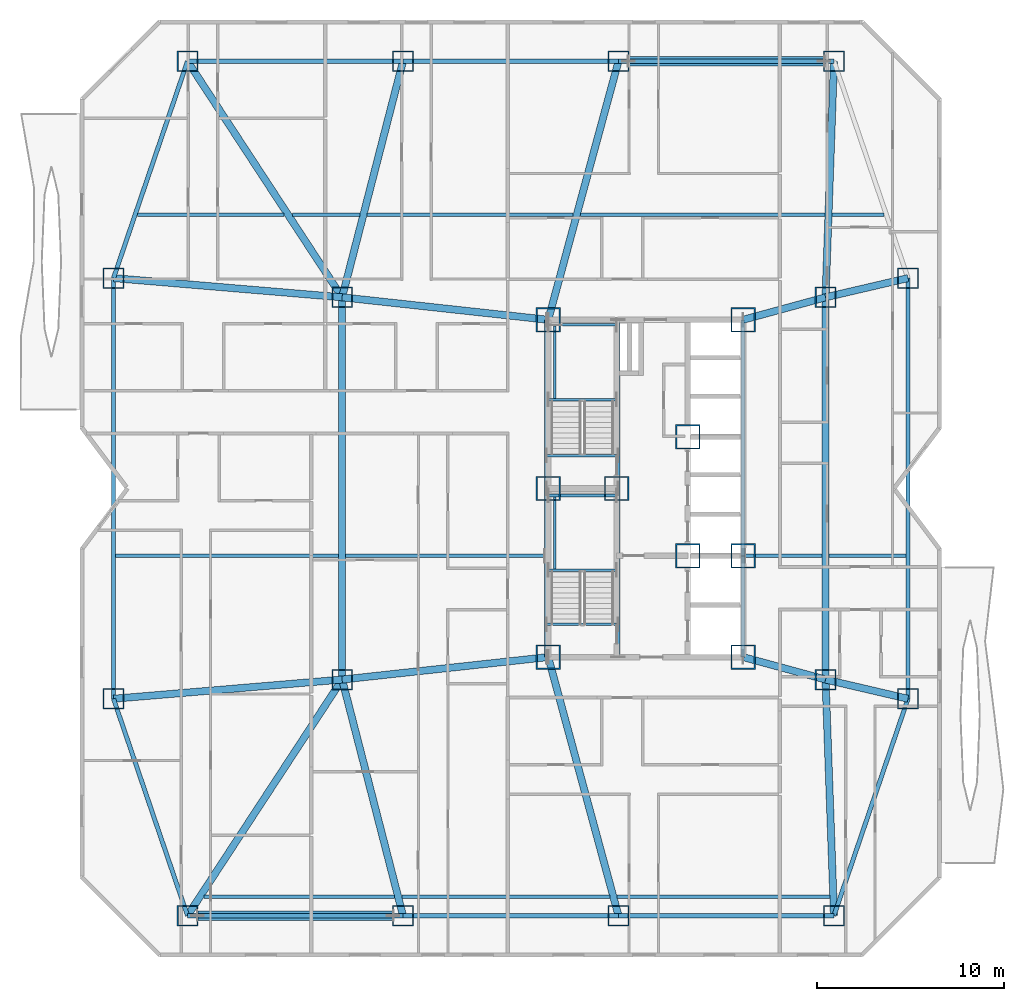
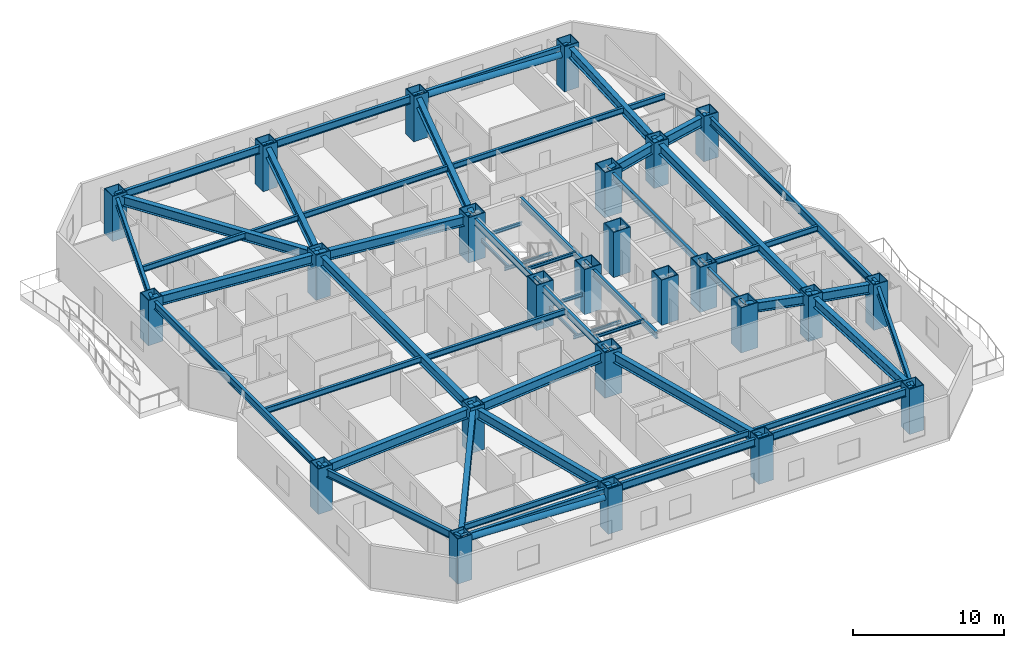
# One storey, part 1 of 16: 55 beams, 25 columns, 2 members.
"""IFC4 building model written with IfcOpenShell, lengths in metres."""

from ifc_helpers import new_model, si_unit, direction, frame, origin, origin_2d, place, context, subcontext, project, spatial, hollow_rectangle, hollow_circle, i_section, extrude, material, material_profile, profile_set, type_object, element, save


model = new_model("IFC4")

# Units and contexts
model_context = context("Model", 3, precision=1e-05, world=origin(), true_north=direction((0.0, 1.0)))
body_context = subcontext(model_context, "Body", "Model", "MODEL_VIEW")
ifc_project = project(units=[si_unit("LENGTHUNIT", "METRE"), si_unit("AREAUNIT", "SQUARE_METRE"), si_unit("VOLUMEUNIT", "CUBIC_METRE"), si_unit("PLANEANGLEUNIT", "RADIAN"), si_unit("MASSUNIT", "GRAM", prefix="KILO")], contexts=[model_context])

# Site, building, storey
site_placement = place(None, origin())
site = spatial("IfcSite", under=ifc_project, at=site_placement, CompositionType="ELEMENT")
building_placement = place(site_placement, origin())
building = spatial("IfcBuilding", under=site, at=building_placement, Name="Khamvora Tower", CompositionType="ELEMENT")
storey_placement = place(building_placement, frame((0.0, 0.0, 55.199951171875)))
storey = spatial("IfcBuildingStorey", under=building, at=storey_placement, Name="L13", CompositionType="ELEMENT", Elevation=55.199951171875)

# Columns
ifc_material_1 = material(Name="Steel S460", Category="steel")
ifc_material_profile_1 = material_profile(ifc_material_1, hollow_rectangle(XDim=1.10009765625, YDim=1.10009765625, WallThickness=0.054931640625, at=origin_2d()), Name="BOX1100x1100x55")
ifc_profile_set_1 = profile_set([ifc_material_profile_1], Name="Steel S460")
column_type_1 = type_object("IfcColumnType", Name="COL-BOX1100", PredefinedType="COLUMN", material=ifc_profile_set_1)
for number, where, z_axis, x_axis, name in (
    (1, (9.75, 5.199951171875, 0.0), (0.0, 0.0, 1.0), (1.0, 0.0, 0.0), "L13 structural frame column S1"),
    (2, (21.25, 5.199951171875, 0.0), (0.0, 0.0, 1.0), (1.0, 0.0, 0.0), "L13 structural frame column S2"),
    (3, (32.75, 5.199951171875, 0.0), (0.0, 0.0, 1.0), (1.0, 0.0, 0.0), "L13 structural frame column S3"),
    (4, (44.25, 5.199951171875, 0.0), (0.0, 0.0, 1.0), (1.0, 0.0, 0.0), "L13 structural frame column S4"),
    (5, (9.75, 50.800048828125, 0.0), (0.0, 0.0, 1.0), (1.0, 0.0, 0.0), "L13 structural frame column N1"),
    (6, (21.25, 50.800048828125, 0.0), (0.0, 0.0, 1.0), (1.0, 0.0, 0.0), "L13 structural frame column N2"),
    (7, (32.75, 50.800048828125, 0.0), (0.0, 0.0, 1.0), (1.0, 0.0, 0.0), "L13 structural frame column N3"),
    (8, (44.25, 50.800048828125, 0.0), (0.0, 0.0, 1.0), (1.0, 0.0, 0.0), "L13 structural frame column N4"),
    (9, (5.800048828125, 16.77490234375, 0.0), (0.0, 0.0, 1.0), (1.0, 0.0, 0.0), "L13 structural frame column W1"),
    (10, (5.800048828125, 39.22509765625, 0.0), (0.0, 0.0, 1.0), (1.0, 0.0, 0.0), "L13 structural frame column W2"),
    (11, (48.199951171875, 16.77490234375, 0.0), (0.0, 0.0, 1.0), (1.0, 0.0, 0.0), "L13 structural frame column E1"),
    (12, (48.199951171875, 39.22509765625, 0.0), (0.0, 0.0, 1.0), (1.0, 0.0, 0.0), "L13 structural frame column E2"),
    (13, (18.0, 17.800048828125, 0.0), (0.0, 0.0, 1.0), (1.0, 0.0, 0.0), "L13 structural frame column MW1"),
    (14, (18.0, 38.199951171875, 0.0), (0.0, 0.0, 1.0), (1.0, 0.0, 0.0), "L13 structural frame column MW2"),
    (15, (43.800048828125, 17.800048828125, 0.0), (0.0, 0.0, 1.0), (1.0, 0.0, 0.0), "L13 structural frame column M1"),
    (16, (43.800048828125, 38.199951171875, 0.0), (0.0, 0.0, 1.0), (1.0, 0.0, 0.0), "L13 structural frame column M2"),
):
    element("IfcColumn", number, at=place(storey_placement, frame(where, z_axis=z_axis, x_axis=x_axis)), inside=storey, type_object=column_type_1, Name=name, PredefinedType="COLUMN", context=body_context, shape_type="SweptSolid", body=[
        extrude(hollow_rectangle(XDim=1.10009765625, YDim=1.10009765625, WallThickness=0.054931640625, at=origin_2d()), origin(), (0.0, 0.0, 1.0), 3.650146484375),
    ])
ifc_material_profile_2 = material_profile(ifc_material_1, hollow_rectangle(XDim=1.300048828125, YDim=1.300048828125, WallThickness=0.06494140625, at=origin_2d()), Name="BOX1300x1300x65")
ifc_profile_set_2 = profile_set([ifc_material_profile_2], Name="Steel S460")
column_type_2 = type_object("IfcColumnType", Name="COL-BOX1300", PredefinedType="COLUMN", material=ifc_profile_set_2)
for number, where, z_axis, x_axis, name in (
    (17, (29.0, 19.0, 0.0), (0.0, 0.0, 1.0), (1.0, 0.0, 0.0), "L13 plumb core spine column SC1"),
    (18, (32.64990234375, 28.0, 0.0), (0.0, 0.0, 1.0), (1.0, 0.0, 0.0), "L13 plumb core spine column SC2"),
    (19, (39.39990234375, 19.0, 0.0), (0.0, 0.0, 1.0), (1.0, 0.0, 0.0), "L13 plumb core spine column SC3"),
    (20, (29.0, 28.0, 0.0), (0.0, 0.0, 1.0), (1.0, 0.0, 0.0), "L13 plumb core spine column SC4"),
    (21, (36.449951171875, 24.39990234375, 0.0), (0.0, 0.0, 1.0), (1.0, 0.0, 0.0), "L13 plumb core spine column SC5"),
    (22, (39.39990234375, 24.39990234375, 0.0), (0.0, 0.0, 1.0), (1.0, 0.0, 0.0), "L13 plumb core spine column SC6"),
    (23, (29.0, 37.0, 0.0), (0.0, 0.0, 1.0), (1.0, 0.0, 0.0), "L13 plumb core spine column SC7"),
    (24, (36.449951171875, 30.75, 0.0), (0.0, 0.0, 1.0), (1.0, 0.0, 0.0), "L13 plumb core spine column SC8"),
    (25, (39.39990234375, 37.0, 0.0), (0.0, 0.0, 1.0), (1.0, 0.0, 0.0), "L13 plumb core spine column SC9"),
):
    element("IfcColumn", number, at=place(storey_placement, frame(where, z_axis=z_axis, x_axis=x_axis)), inside=storey, type_object=column_type_2, Name=name, PredefinedType="COLUMN", context=body_context, shape_type="SweptSolid", body=[
        extrude(hollow_rectangle(XDim=1.300048828125, YDim=1.300048828125, WallThickness=0.06494140625, at=origin_2d()), origin(), (0.0, 0.0, 1.0), 3.650146484375),
    ])

# Beams
ifc_material_2 = material(Name="Steel S355", Category="steel")
ifc_material_profile_3 = material_profile(ifc_material_2, i_section(OverallWidth=0.19189453125, OverallDepth=0.462890625, WebThickness=0.010986328125, FlangeThickness=0.01806640625, FilletRadius=0.011962890625, at=origin_2d()), Name="W460x89")
ifc_profile_set_3 = profile_set([ifc_material_profile_3], Name="Steel S355")
beam_type_1 = type_object("IfcBeamType", Name="BM-JS-W460x89", PredefinedType="JOIST", material=ifc_profile_set_3)
beam_1_placement = place(storey_placement, frame((10.626953125, 6.199951171875, 3.198974609375), z_axis=(1.0, 0.0, 0.0), x_axis=(0.0, 1.0, 0.0)))
element("IfcBeam", 26, at=beam_1_placement, inside=storey, type_object=beam_type_1, Name="L13 secondary floor joist 01", PredefinedType="JOIST", context=body_context, shape_type="SweptSolid", body=[
    extrude(i_section(OverallWidth=0.19189453125, OverallDepth=0.462890625, WebThickness=0.010986328125, FlangeThickness=0.01806640625, FilletRadius=0.011962890625, at=origin_2d()), origin(), (0.0, 0.0, 1.0), 10.173095703125),
])
beam_2_placement = place(storey_placement, frame((21.18408203125, 6.199951171875, 3.198974609375), z_axis=(1.0, 0.0, 0.0), x_axis=(0.0, 1.0, 0.0)))
element("IfcBeam", 27, at=beam_2_placement, inside=storey, type_object=beam_type_1, Name="L13 secondary floor joist 02", PredefinedType="JOIST", context=body_context, shape_type="SweptSolid", body=[
    extrude(i_section(OverallWidth=0.19189453125, OverallDepth=0.462890625, WebThickness=0.010986328125, FlangeThickness=0.01806640625, FilletRadius=0.011962890625, at=origin_2d()), origin(), (0.0, 0.0, 1.0), 11.101806640625),
])
beam_3_placement = place(storey_placement, frame((32.6708984375, 6.199951171875, 3.198974609375), z_axis=(1.0, 0.0, 0.0), x_axis=(0.0, 1.0, 0.0)))
element("IfcBeam", 28, at=beam_3_placement, inside=storey, type_object=beam_type_1, Name="L13 secondary floor joist 03", PredefinedType="JOIST", context=body_context, shape_type="SweptSolid", body=[
    extrude(i_section(OverallWidth=0.19189453125, OverallDepth=0.462890625, WebThickness=0.010986328125, FlangeThickness=0.01806640625, FilletRadius=0.011962890625, at=origin_2d()), origin(), (0.0, 0.0, 1.0), 11.358154296875),
])
beam_4_placement = place(storey_placement, frame((5.909912109375, 24.39990234375, 3.198974609375), z_axis=(1.0, 0.0, 0.0), x_axis=(0.0, 1.0, 0.0)))
element("IfcBeam", 29, at=beam_4_placement, inside=storey, type_object=beam_type_1, Name="L13 secondary floor joist 04", PredefinedType="JOIST", context=body_context, shape_type="SweptSolid", body=[
    extrude(i_section(OverallWidth=0.19189453125, OverallDepth=0.462890625, WebThickness=0.010986328125, FlangeThickness=0.01806640625, FilletRadius=0.011962890625, at=origin_2d()), origin(), (0.0, 0.0, 1.0), 11.904052734375),
])
beam_5_placement = place(storey_placement, frame((18.18603515625, 24.39990234375, 3.198974609375), z_axis=(1.0, 0.0, 0.0), x_axis=(0.0, 1.0, 0.0)))
element("IfcBeam", 30, at=beam_5_placement, inside=storey, type_object=beam_type_1, Name="L13 secondary floor joist 05", PredefinedType="JOIST", context=body_context, shape_type="SweptSolid", body=[
    extrude(i_section(OverallWidth=0.19189453125, OverallDepth=0.462890625, WebThickness=0.010986328125, FlangeThickness=0.01806640625, FilletRadius=0.011962890625, at=origin_2d()), origin(), (0.0, 0.0, 1.0), 10.614013671875),
])
beam_6_placement = place(storey_placement, frame((39.4990234375, 24.39990234375, 3.198974609375), z_axis=(1.0, 0.0, 0.0), x_axis=(0.0, 1.0, 0.0)))
element("IfcBeam", 31, at=beam_6_placement, inside=storey, type_object=beam_type_1, Name="L13 secondary floor joist 06", PredefinedType="JOIST", context=body_context, shape_type="SweptSolid", body=[
    extrude(i_section(OverallWidth=0.19189453125, OverallDepth=0.462890625, WebThickness=0.010986328125, FlangeThickness=0.01806640625, FilletRadius=0.011962890625, at=origin_2d()), origin(), (0.0, 0.0, 1.0), 4.114990234375),
])
beam_7_placement = place(storey_placement, frame((43.985107421875, 24.39990234375, 3.198974609375), z_axis=(1.0, 0.0, 0.0), x_axis=(0.0, 1.0, 0.0)))
element("IfcBeam", 32, at=beam_7_placement, inside=storey, type_object=beam_type_1, Name="L13 secondary floor joist 07", PredefinedType="JOIST", context=body_context, shape_type="SweptSolid", body=[
    extrude(i_section(OverallWidth=0.19189453125, OverallDepth=0.462890625, WebThickness=0.010986328125, FlangeThickness=0.01806640625, FilletRadius=0.011962890625, at=origin_2d()), origin(), (0.0, 0.0, 1.0), 4.10498046875),
])
beam_8_placement = place(storey_placement, frame((7.068115234375, 42.60009765625, 3.198974609375), z_axis=(1.0, 0.0, 0.0), x_axis=(0.0, 1.0, 0.0)))
element("IfcBeam", 33, at=beam_8_placement, inside=storey, type_object=beam_type_1, Name="L13 secondary floor joist 08", PredefinedType="JOIST", context=body_context, shape_type="SweptSolid", body=[
    extrude(i_section(OverallWidth=0.19189453125, OverallDepth=0.462890625, WebThickness=0.010986328125, FlangeThickness=0.01806640625, FilletRadius=0.011962890625, at=origin_2d()), origin(), (0.0, 0.0, 1.0), 7.827880859375),
])
beam_9_placement = place(storey_placement, frame((15.342041015625, 42.60009765625, 3.198974609375), z_axis=(1.0, 0.0, 0.0), x_axis=(0.0, 1.0, 0.0)))
element("IfcBeam", 34, at=beam_9_placement, inside=storey, type_object=beam_type_1, Name="L13 secondary floor joist 09", PredefinedType="JOIST", context=body_context, shape_type="SweptSolid", body=[
    extrude(i_section(OverallWidth=0.19189453125, OverallDepth=0.462890625, WebThickness=0.010986328125, FlangeThickness=0.01806640625, FilletRadius=0.011962890625, at=origin_2d()), origin(), (0.0, 0.0, 1.0), 3.60107421875),
])
beam_10_placement = place(storey_placement, frame((19.326904296875, 42.60009765625, 3.198974609375), z_axis=(1.0, 0.0, 0.0), x_axis=(0.0, 1.0, 0.0)))
element("IfcBeam", 35, at=beam_10_placement, inside=storey, type_object=beam_type_1, Name="L13 secondary floor joist 10", PredefinedType="JOIST", context=body_context, shape_type="SweptSolid", body=[
    extrude(i_section(OverallWidth=0.19189453125, OverallDepth=0.462890625, WebThickness=0.010986328125, FlangeThickness=0.01806640625, FilletRadius=0.011962890625, at=origin_2d()), origin(), (0.0, 0.0, 1.0), 11.002197265625),
])
beam_11_placement = place(storey_placement, frame((30.714111328125, 42.60009765625, 3.198974609375), z_axis=(1.0, 0.0, 0.0), x_axis=(0.0, 1.0, 0.0)))
element("IfcBeam", 36, at=beam_11_placement, inside=storey, type_object=beam_type_1, Name="L13 secondary floor joist 11", PredefinedType="JOIST", context=body_context, shape_type="SweptSolid", body=[
    extrude(i_section(OverallWidth=0.19189453125, OverallDepth=0.462890625, WebThickness=0.010986328125, FlangeThickness=0.01806640625, FilletRadius=0.011962890625, at=origin_2d()), origin(), (0.0, 0.0, 1.0), 13.057861328125),
])
beam_12_placement = place(storey_placement, frame((44.14306640625, 42.60009765625, 3.198974609375), z_axis=(1.0, 0.0, 0.0), x_axis=(0.0, 1.0, 0.0)))
element("IfcBeam", 37, at=beam_12_placement, inside=storey, type_object=beam_type_1, Name="L13 secondary floor joist 12", PredefinedType="JOIST", context=body_context, shape_type="SweptSolid", body=[
    extrude(i_section(OverallWidth=0.19189453125, OverallDepth=0.462890625, WebThickness=0.010986328125, FlangeThickness=0.01806640625, FilletRadius=0.011962890625, at=origin_2d()), origin(), (0.0, 0.0, 1.0), 2.788818359375),
])
ifc_material_profile_4 = material_profile(ifc_material_2, i_section(OverallWidth=0.14697265625, OverallDepth=0.261962890625, WebThickness=0.007080078125, FlangeThickness=0.010986328125, FilletRadius=0.008056640625, at=origin_2d()), Name="W250x39")
ifc_profile_set_4 = profile_set([ifc_material_profile_4], Name="Steel S355")
beam_type_2 = type_object("IfcBeamType", Name="BM-LN-W250x39", PredefinedType="LINTEL", material=ifc_profile_set_4)
for number, where, z_axis, x_axis, name in (
    (38, (29.0, 23.635009765625, 1.494140625), (1.0, 0.0, 0.0), (0.0, 1.0, 0.0), "L13 ST-01 half-landing support beam 1.1"),
    (39, (29.0, 27.6298828125, 1.494140625), (1.0, 0.0, 0.0), (0.0, 1.0, 0.0), "L13 ST-01 half-landing support beam 1.2"),
):
    element("IfcBeam", number, at=place(storey_placement, frame(where, z_axis=z_axis, x_axis=x_axis)), inside=storey, type_object=beam_type_2, Name=name, PredefinedType="LINTEL", context=body_context, shape_type="SweptSolid", body=[
        extrude(i_section(OverallWidth=0.14697265625, OverallDepth=0.261962890625, WebThickness=0.007080078125, FlangeThickness=0.010986328125, FilletRadius=0.008056640625, at=origin_2d()), origin(), (0.0, 0.0, 1.0), 3.64990234375),
    ])
beam_13_placement = place(storey_placement, frame((29.35009765625, 23.635009765625, 1.494140625), z_axis=(0.0, 1.0, 0.0), x_axis=(-1.0, 0.0, 0.0)))
element("IfcBeam", 40, at=beam_13_placement, inside=storey, type_object=beam_type_2, Name="L13 ST-01 half-landing edge stringer 1", PredefinedType="LINTEL", context=body_context, shape_type="SweptSolid", body=[
    extrude(i_section(OverallWidth=0.14697265625, OverallDepth=0.261962890625, WebThickness=0.007080078125, FlangeThickness=0.010986328125, FilletRadius=0.008056640625, at=origin_2d()), origin(), (0.0, 0.0, 1.0), 3.994873046875),
])
for number, where, z_axis, x_axis, name in (
    (41, (29.0, 32.735107421875, 1.494140625), (1.0, 0.0, 0.0), (0.0, 1.0, 0.0), "L13 ST-02 half-landing support beam 1.1"),
    (42, (29.0, 36.72998046875, 1.494140625), (1.0, 0.0, 0.0), (0.0, 1.0, 0.0), "L13 ST-02 half-landing support beam 1.2"),
):
    element("IfcBeam", number, at=place(storey_placement, frame(where, z_axis=z_axis, x_axis=x_axis)), inside=storey, type_object=beam_type_2, Name=name, PredefinedType="LINTEL", context=body_context, shape_type="SweptSolid", body=[
        extrude(i_section(OverallWidth=0.14697265625, OverallDepth=0.261962890625, WebThickness=0.007080078125, FlangeThickness=0.010986328125, FilletRadius=0.008056640625, at=origin_2d()), origin(), (0.0, 0.0, 1.0), 3.64990234375),
    ])
beam_14_placement = place(storey_placement, frame((29.35009765625, 32.735107421875, 1.494140625), z_axis=(0.0, 1.0, 0.0), x_axis=(-1.0, 0.0, 0.0)))
element("IfcBeam", 43, at=beam_14_placement, inside=storey, type_object=beam_type_2, Name="L13 ST-02 half-landing edge stringer 1", PredefinedType="LINTEL", context=body_context, shape_type="SweptSolid", body=[
    extrude(i_section(OverallWidth=0.14697265625, OverallDepth=0.261962890625, WebThickness=0.007080078125, FlangeThickness=0.010986328125, FilletRadius=0.008056640625, at=origin_2d()), origin(), (0.0, 0.0, 1.0), 3.994873046875),
])
for number, where, z_axis, x_axis, name in (
    (44, (28.89990234375, 20.75, 3.303955078125), (1.0, 0.0, 0.0), (0.0, 1.0, 0.0), "L13 exit stair ST-01 landing trimmer beam"),
    (45, (28.89990234375, 29.75, 3.303955078125), (1.0, 0.0, 0.0), (0.0, 1.0, 0.0), "L13 exit stair ST-02 landing trimmer beam"),
):
    element("IfcBeam", number, at=place(storey_placement, frame(where, z_axis=z_axis, x_axis=x_axis)), inside=storey, type_object=beam_type_2, Name=name, PredefinedType="LINTEL", context=body_context, shape_type="SweptSolid", body=[
        extrude(i_section(OverallWidth=0.14697265625, OverallDepth=0.261962890625, WebThickness=0.007080078125, FlangeThickness=0.010986328125, FilletRadius=0.008056640625, at=origin_2d()), origin(), (0.0, 0.0, 1.0), 3.830078125),
    ])
ifc_material_profile_5 = material_profile(ifc_material_2, i_section(OverallWidth=0.381103515625, OverallDepth=0.77294921875, WebThickness=0.01708984375, FlangeThickness=0.027099609375, FilletRadius=0.01806640625, at=origin_2d()), Name="W760x257")
ifc_profile_set_5 = profile_set([ifc_material_profile_5], Name="Steel S355")
beam_type_3 = type_object("IfcBeamType", Name="BM-PG-W760x257", PredefinedType="BEAM", material=ifc_profile_set_5)
for number, where, z_axis, x_axis, name in (
    (46, (43.800048828125, 17.800048828125, 3.0439453125), (0.0, 1.0, 0.0), (-1.0, 0.0, 0.0), "L13 longitudinal frame girder M1-M2"),
    (47, (18.0, 17.800048828125, 3.0439453125), (0.0, 1.0, 0.0), (-1.0, 0.0, 0.0), "L13 longitudinal frame girder MW1-MW2"),
):
    element("IfcBeam", number, at=place(storey_placement, frame(where, z_axis=z_axis, x_axis=x_axis)), inside=storey, type_object=beam_type_3, Name=name, PredefinedType="BEAM", context=body_context, shape_type="SweptSolid", body=[
        extrude(i_section(OverallWidth=0.381103515625, OverallDepth=0.77294921875, WebThickness=0.01708984375, FlangeThickness=0.027099609375, FilletRadius=0.01806640625, at=origin_2d()), origin(), (0.0, 0.0, 1.0), 20.39990234375),
    ])
beam_15_placement = place(storey_placement, frame((18.0, 17.800048828125, 3.0439453125), z_axis=(-0.547782969742, -0.836620474325, 0.0), x_axis=(0.836620474325, -0.547782969742, 0.0)))
element("IfcBeam", 48, at=beam_15_placement, inside=storey, type_object=beam_type_3, Name="L13 primary floor girder S1", PredefinedType="BEAM", context=body_context, shape_type="SweptSolid", body=[
    extrude(i_section(OverallWidth=0.381103515625, OverallDepth=0.77294921875, WebThickness=0.01708984375, FlangeThickness=0.027099609375, FilletRadius=0.01806640625, at=origin_2d()), origin(), (0.0, 0.0, 1.0), 15.060791015625),
])
beam_16_placement = place(storey_placement, frame((18.0, 17.800048828125, 3.0439453125), z_axis=(0.249759990341, -0.968307775051, 0.0), x_axis=(0.968307775051, 0.249759990341, 0.0)))
element("IfcBeam", 49, at=beam_16_placement, inside=storey, type_object=beam_type_3, Name="L13 primary floor girder S2", PredefinedType="BEAM", context=body_context, shape_type="SweptSolid", body=[
    extrude(i_section(OverallWidth=0.381103515625, OverallDepth=0.77294921875, WebThickness=0.01708984375, FlangeThickness=0.027099609375, FilletRadius=0.01806640625, at=origin_2d()), origin(), (0.0, 0.0, 1.0), 13.012451171875),
])
beam_17_placement = place(storey_placement, frame((29.0, 19.0, 3.0439453125), z_axis=(0.262228883577, -0.965005706003, 0.0), x_axis=(0.965005706003, 0.262228883577, 0.0)))
element("IfcBeam", 50, at=beam_17_placement, inside=storey, type_object=beam_type_3, Name="L13 primary floor girder S3", PredefinedType="BEAM", context=body_context, shape_type="SweptSolid", body=[
    extrude(i_section(OverallWidth=0.381103515625, OverallDepth=0.77294921875, WebThickness=0.01708984375, FlangeThickness=0.027099609375, FilletRadius=0.01806640625, at=origin_2d()), origin(), (0.0, 0.0, 1.0), 14.300537109375),
])
beam_18_placement = place(storey_placement, frame((43.800048828125, 17.800048828125, 3.0439453125), z_axis=(0.035687386423, -0.999363002342, 0.0), x_axis=(0.999363002342, 0.035687386423, 0.0)))
element("IfcBeam", 51, at=beam_18_placement, inside=storey, type_object=beam_type_3, Name="L13 primary floor girder S4", PredefinedType="BEAM", context=body_context, shape_type="SweptSolid", body=[
    extrude(i_section(OverallWidth=0.381103515625, OverallDepth=0.77294921875, WebThickness=0.01708984375, FlangeThickness=0.027099609375, FilletRadius=0.01806640625, at=origin_2d()), origin(), (0.0, 0.0, 1.0), 12.608154296875),
])
beam_19_placement = place(storey_placement, frame((18.0, 38.199951171875, 3.0439453125), z_axis=(-0.547782969742, 0.836620474325, 0.0), x_axis=(-0.836620474325, -0.547782969742, 0.0)))
element("IfcBeam", 52, at=beam_19_placement, inside=storey, type_object=beam_type_3, Name="L13 primary floor girder N1", PredefinedType="BEAM", context=body_context, shape_type="SweptSolid", body=[
    extrude(i_section(OverallWidth=0.381103515625, OverallDepth=0.77294921875, WebThickness=0.01708984375, FlangeThickness=0.027099609375, FilletRadius=0.01806640625, at=origin_2d()), origin(), (0.0, 0.0, 1.0), 15.060791015625),
])
beam_20_placement = place(storey_placement, frame((18.0, 38.199951171875, 3.0439453125), z_axis=(0.249759990341, 0.968307775051, 0.0), x_axis=(-0.968307775051, 0.249759990341, 0.0)))
element("IfcBeam", 53, at=beam_20_placement, inside=storey, type_object=beam_type_3, Name="L13 primary floor girder N2", PredefinedType="BEAM", context=body_context, shape_type="SweptSolid", body=[
    extrude(i_section(OverallWidth=0.381103515625, OverallDepth=0.77294921875, WebThickness=0.01708984375, FlangeThickness=0.027099609375, FilletRadius=0.01806640625, at=origin_2d()), origin(), (0.0, 0.0, 1.0), 13.012451171875),
])
beam_21_placement = place(storey_placement, frame((29.0, 37.0, 3.0439453125), z_axis=(0.262228883577, 0.965005706003, 0.0), x_axis=(-0.965005706003, 0.262228883577, 0.0)))
element("IfcBeam", 54, at=beam_21_placement, inside=storey, type_object=beam_type_3, Name="L13 primary floor girder N3", PredefinedType="BEAM", context=body_context, shape_type="SweptSolid", body=[
    extrude(i_section(OverallWidth=0.381103515625, OverallDepth=0.77294921875, WebThickness=0.01708984375, FlangeThickness=0.027099609375, FilletRadius=0.01806640625, at=origin_2d()), origin(), (0.0, 0.0, 1.0), 14.300537109375),
])
beam_22_placement = place(storey_placement, frame((43.800048828125, 38.199951171875, 3.0439453125), z_axis=(0.035687386423, 0.999363002342, 0.0), x_axis=(-0.999363002342, 0.035687386423, 0.0)))
element("IfcBeam", 55, at=beam_22_placement, inside=storey, type_object=beam_type_3, Name="L13 primary floor girder N4", PredefinedType="BEAM", context=body_context, shape_type="SweptSolid", body=[
    extrude(i_section(OverallWidth=0.381103515625, OverallDepth=0.77294921875, WebThickness=0.01708984375, FlangeThickness=0.027099609375, FilletRadius=0.01806640625, at=origin_2d()), origin(), (0.0, 0.0, 1.0), 12.608154296875),
])
for number, where, z_axis, x_axis, name in (
    (56, (18.0, 17.800048828125, 3.0439453125), (-0.996488172114, -0.083733642207, 0.0), (0.083733642207, -0.996488172114, 0.0), "L13 primary floor girder W1"),
    (57, (18.0, 38.199951171875, 3.0439453125), (-0.996488172114, 0.083733642207, 0.0), (-0.083733642207, -0.996488172114, 0.0), "L13 primary floor girder W2"),
):
    element("IfcBeam", number, at=place(storey_placement, frame(where, z_axis=z_axis, x_axis=x_axis)), inside=storey, type_object=beam_type_3, Name=name, PredefinedType="BEAM", context=body_context, shape_type="SweptSolid", body=[
        extrude(i_section(OverallWidth=0.381103515625, OverallDepth=0.77294921875, WebThickness=0.01708984375, FlangeThickness=0.027099609375, FilletRadius=0.01806640625, at=origin_2d()), origin(), (0.0, 0.0, 1.0), 12.242919921875),
    ])
for number, where, z_axis, x_axis, name in (
    (58, (43.800048828125, 17.800048828125, 3.0439453125), (0.973914503503, -0.226915270237, 0.0), (0.226915270237, 0.973914503503, 0.0), "L13 primary floor girder E1"),
    (59, (43.800048828125, 38.199951171875, 3.0439453125), (0.973914503503, 0.226915270237, 0.0), (-0.226915270237, 0.973914503503, 0.0), "L13 primary floor girder E2"),
):
    element("IfcBeam", number, at=place(storey_placement, frame(where, z_axis=z_axis, x_axis=x_axis)), inside=storey, type_object=beam_type_3, Name=name, PredefinedType="BEAM", context=body_context, shape_type="SweptSolid", body=[
        extrude(i_section(OverallWidth=0.381103515625, OverallDepth=0.77294921875, WebThickness=0.01708984375, FlangeThickness=0.027099609375, FilletRadius=0.01806640625, at=origin_2d()), origin(), (0.0, 0.0, 1.0), 4.517822265625),
    ])
for number, where, z_axis, x_axis, name in (
    (60, (29.0, 19.0, 3.0439453125), (-0.994102652327, -0.108443149329, 0.0), (0.108443149329, -0.994102652327, 0.0), "L13 primary floor girder MW1"),
    (61, (29.0, 37.0, 3.0439453125), (-0.994102652327, 0.108443149329, 0.0), (-0.108443149329, -0.994102652327, 0.0), "L13 primary floor girder MW2"),
):
    element("IfcBeam", number, at=place(storey_placement, frame(where, z_axis=z_axis, x_axis=x_axis)), inside=storey, type_object=beam_type_3, Name=name, PredefinedType="BEAM", context=body_context, shape_type="SweptSolid", body=[
        extrude(i_section(OverallWidth=0.381103515625, OverallDepth=0.77294921875, WebThickness=0.01708984375, FlangeThickness=0.027099609375, FilletRadius=0.01806640625, at=origin_2d()), origin(), (0.0, 0.0, 1.0), 11.065185546875),
    ])
for number, where, z_axis, x_axis, name in (
    (62, (39.39990234375, 19.0, 3.0439453125), (0.964768762286, -0.263099287945, 0.0), (0.263099287945, 0.964768762286, 0.0), "L13 primary floor girder M1"),
    (63, (39.39990234375, 37.0, 3.0439453125), (0.964768762286, 0.263099287945, 0.0), (-0.263099287945, 0.964768762286, 0.0), "L13 primary floor girder M2"),
):
    element("IfcBeam", number, at=place(storey_placement, frame(where, z_axis=z_axis, x_axis=x_axis)), inside=storey, type_object=beam_type_3, Name=name, PredefinedType="BEAM", context=body_context, shape_type="SweptSolid", body=[
        extrude(i_section(OverallWidth=0.381103515625, OverallDepth=0.77294921875, WebThickness=0.01708984375, FlangeThickness=0.027099609375, FilletRadius=0.01806640625, at=origin_2d()), origin(), (0.0, 0.0, 1.0), 4.560791015625),
    ])
ifc_material_profile_6 = material_profile(ifc_material_2, i_section(OverallWidth=0.208984375, OverallDepth=0.532958984375, WebThickness=0.010009765625, FlangeThickness=0.01611328125, FilletRadius=0.013916015625, at=origin_2d()), Name="W530x92")
ifc_profile_set_6 = profile_set([ifc_material_profile_6], Name="Steel S355")
beam_type_4 = type_object("IfcBeamType", Name="BM-SP-W530x92", PredefinedType="SPANDREL", material=ifc_profile_set_6)
for number, where, z_axis, x_axis, name in (
    (64, (28.89990234375, 19.0, 3.1640625), (0.0, 1.0, 0.0), (-1.0, 0.0, 0.0), "L13 core spine girder WS"),
    (65, (28.89990234375, 28.0, 3.1640625), (0.0, 1.0, 0.0), (-1.0, 0.0, 0.0), "L13 core spine girder WN"),
    (66, (32.72998046875, 19.0, 3.1640625), (0.0, 1.0, 0.0), (-1.0, 0.0, 0.0), "L13 core spine girder M1S"),
    (67, (32.72998046875, 28.0, 3.1640625), (0.0, 1.0, 0.0), (-1.0, 0.0, 0.0), "L13 core spine girder M1N"),
):
    element("IfcBeam", number, at=place(storey_placement, frame(where, z_axis=z_axis, x_axis=x_axis)), inside=storey, type_object=beam_type_4, Name=name, PredefinedType="SPANDREL", context=body_context, shape_type="SweptSolid", body=[
        extrude(i_section(OverallWidth=0.208984375, OverallDepth=0.532958984375, WebThickness=0.010009765625, FlangeThickness=0.01611328125, FilletRadius=0.013916015625, at=origin_2d()), origin(), (0.0, 0.0, 1.0), 9.0),
    ])
beam_23_placement = place(storey_placement, frame((39.39990234375, 19.0, 3.1640625), z_axis=(0.0, 1.0, 0.0), x_axis=(-1.0, 0.0, 0.0)))
element("IfcBeam", 68, at=beam_23_placement, inside=storey, type_object=beam_type_4, Name="L13 core spine girder ES", PredefinedType="SPANDREL", context=body_context, shape_type="SweptSolid", body=[
    extrude(i_section(OverallWidth=0.208984375, OverallDepth=0.532958984375, WebThickness=0.010009765625, FlangeThickness=0.01611328125, FilletRadius=0.013916015625, at=origin_2d()), origin(), (0.0, 0.0, 1.0), 5.39990234375),
])
beam_24_placement = place(storey_placement, frame((39.39990234375, 24.39990234375, 3.1640625), z_axis=(0.0, 1.0, 0.0), x_axis=(-1.0, 0.0, 0.0)))
element("IfcBeam", 69, at=beam_24_placement, inside=storey, type_object=beam_type_4, Name="L13 core spine girder EN", PredefinedType="SPANDREL", context=body_context, shape_type="SweptSolid", body=[
    extrude(i_section(OverallWidth=0.208984375, OverallDepth=0.532958984375, WebThickness=0.010009765625, FlangeThickness=0.01611328125, FilletRadius=0.013916015625, at=origin_2d()), origin(), (0.0, 0.0, 1.0), 12.60009765625),
])
ifc_material_profile_7 = material_profile(ifc_material_2, i_section(OverallWidth=0.22998046875, OverallDepth=0.616943359375, WebThickness=0.012939453125, FlangeThickness=0.02197265625, FilletRadius=0.013916015625, at=origin_2d()), Name="W610x140")
ifc_profile_set_7 = profile_set([ifc_material_profile_7], Name="Steel S355")
beam_type_5 = type_object("IfcBeamType", Name="BM-SP-W610x140", PredefinedType="SPANDREL", material=ifc_profile_set_7)
beam_25_placement = place(storey_placement, frame((5.800048828125, 16.77490234375, 3.1220703125), z_axis=(0.322962893199, -0.946411628002, 0.0), x_axis=(0.946411628002, 0.322962893199, 0.0)))
element("IfcBeam", 70, at=beam_25_placement, inside=storey, type_object=beam_type_5, Name="L13 perimeter spandrel beam W1-S1", PredefinedType="SPANDREL", context=body_context, shape_type="SweptSolid", body=[
    extrude(i_section(OverallWidth=0.22998046875, OverallDepth=0.616943359375, WebThickness=0.012939453125, FlangeThickness=0.02197265625, FilletRadius=0.013916015625, at=origin_2d()), origin(), (0.0, 0.0, 1.0), 12.23046875),
])
for number, where, z_axis, x_axis, name in (
    (71, (9.75, 5.199951171875, 3.1220703125), (1.0, 0.0, 0.0), (0.0, 1.0, 0.0), "L13 perimeter spandrel beam S1-S2"),
    (72, (21.25, 5.199951171875, 3.1220703125), (1.0, 0.0, 0.0), (0.0, 1.0, 0.0), "L13 perimeter spandrel beam S2-S3"),
    (73, (32.75, 5.199951171875, 3.1220703125), (1.0, 0.0, 0.0), (0.0, 1.0, 0.0), "L13 perimeter spandrel beam S3-S4"),
):
    element("IfcBeam", number, at=place(storey_placement, frame(where, z_axis=z_axis, x_axis=x_axis)), inside=storey, type_object=beam_type_5, Name=name, PredefinedType="SPANDREL", context=body_context, shape_type="SweptSolid", body=[
        extrude(i_section(OverallWidth=0.22998046875, OverallDepth=0.616943359375, WebThickness=0.012939453125, FlangeThickness=0.02197265625, FilletRadius=0.013916015625, at=origin_2d()), origin(), (0.0, 0.0, 1.0), 11.5),
    ])
beam_26_placement = place(storey_placement, frame((44.25, 5.199951171875, 3.1220703125), z_axis=(0.322962893199, 0.946411628002, 0.0), x_axis=(-0.946411628002, 0.322962893199, 0.0)))
element("IfcBeam", 74, at=beam_26_placement, inside=storey, type_object=beam_type_5, Name="L13 perimeter spandrel beam S4-E1", PredefinedType="SPANDREL", context=body_context, shape_type="SweptSolid", body=[
    extrude(i_section(OverallWidth=0.22998046875, OverallDepth=0.616943359375, WebThickness=0.012939453125, FlangeThickness=0.02197265625, FilletRadius=0.013916015625, at=origin_2d()), origin(), (0.0, 0.0, 1.0), 12.23046875),
])
beam_27_placement = place(storey_placement, frame((48.199951171875, 16.77490234375, 3.1220703125), z_axis=(0.0, 1.0, 0.0), x_axis=(-1.0, 0.0, 0.0)))
element("IfcBeam", 75, at=beam_27_placement, inside=storey, type_object=beam_type_5, Name="L13 perimeter spandrel beam E1-E2", PredefinedType="SPANDREL", context=body_context, shape_type="SweptSolid", body=[
    extrude(i_section(OverallWidth=0.22998046875, OverallDepth=0.616943359375, WebThickness=0.012939453125, FlangeThickness=0.02197265625, FilletRadius=0.013916015625, at=origin_2d()), origin(), (0.0, 0.0, 1.0), 22.4501953125),
])
for number, where, z_axis, x_axis, name in (
    (76, (44.25, 50.800048828125, 3.1220703125), (-1.0, 0.0, 0.0), (0.0, -1.0, 0.0), "L13 perimeter spandrel beam N4-N3"),
    (77, (32.75, 50.800048828125, 3.1220703125), (-1.0, 0.0, 0.0), (0.0, -1.0, 0.0), "L13 perimeter spandrel beam N3-N2"),
    (78, (21.25, 50.800048828125, 3.1220703125), (-1.0, 0.0, 0.0), (0.0, -1.0, 0.0), "L13 perimeter spandrel beam N2-N1"),
):
    element("IfcBeam", number, at=place(storey_placement, frame(where, z_axis=z_axis, x_axis=x_axis)), inside=storey, type_object=beam_type_5, Name=name, PredefinedType="SPANDREL", context=body_context, shape_type="SweptSolid", body=[
        extrude(i_section(OverallWidth=0.22998046875, OverallDepth=0.616943359375, WebThickness=0.012939453125, FlangeThickness=0.02197265625, FilletRadius=0.013916015625, at=origin_2d()), origin(), (0.0, 0.0, 1.0), 11.5),
    ])
beam_28_placement = place(storey_placement, frame((9.75, 50.800048828125, 3.1220703125), z_axis=(-0.322962893199, -0.946411628002, 0.0), x_axis=(0.946411628002, -0.322962893199, 0.0)))
element("IfcBeam", 79, at=beam_28_placement, inside=storey, type_object=beam_type_5, Name="L13 perimeter spandrel beam N1-W2", PredefinedType="SPANDREL", context=body_context, shape_type="SweptSolid", body=[
    extrude(i_section(OverallWidth=0.22998046875, OverallDepth=0.616943359375, WebThickness=0.012939453125, FlangeThickness=0.02197265625, FilletRadius=0.013916015625, at=origin_2d()), origin(), (0.0, 0.0, 1.0), 12.23046875),
])
beam_29_placement = place(storey_placement, frame((5.800048828125, 39.22509765625, 3.1220703125), z_axis=(0.0, -1.0, 0.0), x_axis=(1.0, 0.0, 0.0)))
element("IfcBeam", 80, at=beam_29_placement, inside=storey, type_object=beam_type_5, Name="L13 perimeter spandrel beam W2-W1", PredefinedType="SPANDREL", context=body_context, shape_type="SweptSolid", body=[
    extrude(i_section(OverallWidth=0.22998046875, OverallDepth=0.616943359375, WebThickness=0.012939453125, FlangeThickness=0.02197265625, FilletRadius=0.013916015625, at=origin_2d()), origin(), (0.0, 0.0, 1.0), 22.4501953125),
])

# Members
ifc_material_profile_8 = material_profile(ifc_material_1, hollow_circle(Radius=0.25390625, WallThickness=0.02490234375, at=origin_2d()), Name="CHS508x25")
ifc_profile_set_8 = profile_set([ifc_material_profile_8], Name="Steel S460")
member_type = type_object("IfcMemberType", Name="MEM-BR-CHS508", PredefinedType="BRACE", material=ifc_profile_set_8)
for number, where, z_axis, x_axis, name in (
    (81, (20.719970703125, 5.199951171875, 2.699951171875), (-0.999259102168, 0.0, 0.038486968366), (0.0, -1.0, 0.0), "L13 perimeter wind brace 1"),
    (82, (43.719970703125, 50.800048828125, 2.699951171875), (-0.999259102168, 0.0, 0.038486968366), (0.0, -1.0, 0.0), "L13 perimeter wind brace 2"),
):
    element("IfcMember", number, at=place(storey_placement, frame(where, z_axis=z_axis, x_axis=x_axis)), inside=storey, type_object=member_type, Name=name, PredefinedType="BRACE", context=body_context, shape_type="SweptSolid", body=[
        extrude(hollow_circle(Radius=0.25390625, WallThickness=0.02490234375, at=origin_2d()), origin(), (0.0, 0.0, 1.0), 10.44775390625),
    ])

save(model, "model.ifc")
